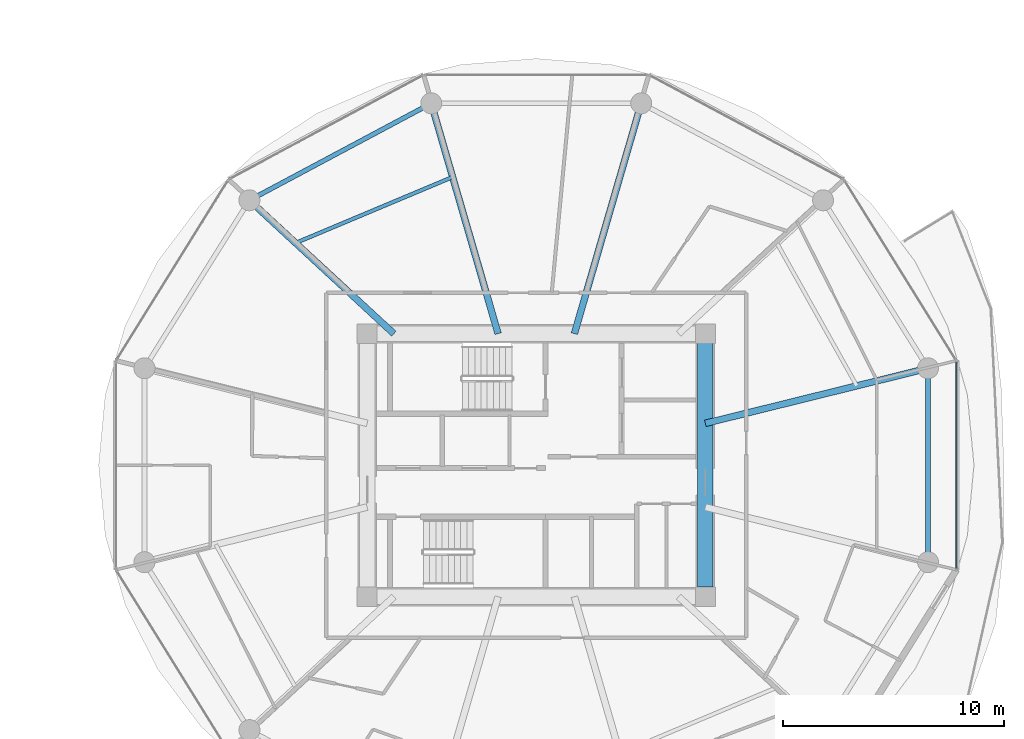
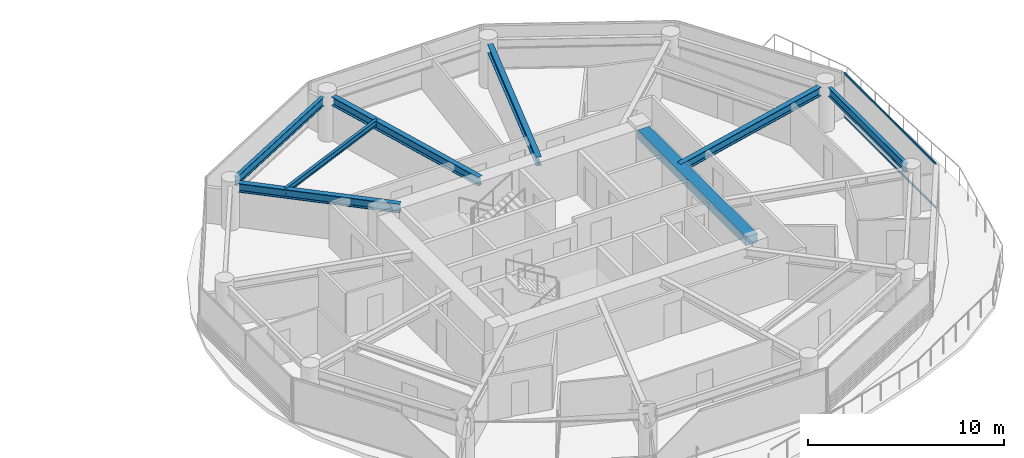
# One storey, part 12 of 27: 8 beams, 2 members, 1 element without a shape of its own.
"""IFC4 building model written with IfcOpenShell, lengths in metres."""

from ifc_helpers import new_model, si_unit, direction, frame, origin, origin_2d, place, context, subcontext, project, spatial, rectangle, i_section, extrude, source, transform, mapped, material, layer, layer_set, material_profile, profile_set, type_object, type_shapes, element, aggregate, save


model = new_model("IFC4")

# Units and contexts
model_context = context("Model", 3, precision=1e-05, world=origin(), true_north=direction((0.0, 1.0)))
body_context = subcontext(model_context, "Body", "Model", "MODEL_VIEW")
ifc_project = project(units=[si_unit("LENGTHUNIT", "METRE"), si_unit("AREAUNIT", "SQUARE_METRE"), si_unit("VOLUMEUNIT", "CUBIC_METRE"), si_unit("PLANEANGLEUNIT", "RADIAN"), si_unit("MASSUNIT", "GRAM", prefix="KILO")], contexts=[model_context])

# Site, building, storey
site_placement = place(None, origin())
site = spatial("IfcSite", under=ifc_project, at=site_placement, CompositionType="ELEMENT")
building_placement = place(site_placement, origin())
building = spatial("IfcBuilding", under=site, at=building_placement, Name="Norrkilde Senior Care Towers", CompositionType="ELEMENT")
storey_placement = place(building_placement, frame((0.0, 0.0, 33.800048828125)))
storey = spatial("IfcBuildingStorey", under=building, at=storey_placement, Name="L09", CompositionType="ELEMENT", Elevation=33.800048828125)

# Beams
ifc_material_1 = material(Name="Concrete C60/75", Category="concrete")
ifc_material_profile_1 = material_profile(ifc_material_1, rectangle(XDim=0.699951171875, YDim=0.550048828125, at=origin_2d()), Name="RC BM 700x550")
ifc_profile_set_1 = profile_set([ifc_material_profile_1], Name="Concrete C60/75")
beam_type_1 = type_object("IfcBeamType", Name="Core Portal Coupling Beam 700x550", PredefinedType="USERDEFINED", material=ifc_profile_set_1)
shared_shape_1 = source(origin(), body_context, "Body", "SweptSolid", [
    extrude(rectangle(XDim=0.699951171875, YDim=0.550048828125, at=origin_2d()), origin(), (0.0, 0.0, 1.0), 11.0400390625),
])
type_shapes(beam_type_1, [shared_shape_1])
beam_1_placement = place(storey_placement, frame((35.64990234375, -5.52001953125, 2.514892578125), z_axis=(0.0, 1.0, 0.0), x_axis=(-1.0, 0.0, 0.0)))
element("IfcBeam", 1, at=beam_1_placement, inside=storey, type_object=beam_type_1, Name="L09 Core E E Coupling Girder", ObjectType="GIRDER", PredefinedType="USERDEFINED", context=body_context, shape_type="MappedRepresentation", body=[
    mapped(shared_shape_1, transform((0.0, 0.0, 0.0), x_axis=(1.0, 0.0, 0.0), y_axis=(0.0, 1.0, 0.0), z_axis=(0.0, 0.0, 1.0), scale=1.0)),
])
ifc_material_2 = material(Name="Steel S355", Category="steel")
ifc_material_profile_2 = material_profile(ifc_material_2, i_section(OverallWidth=0.300048828125, OverallDepth=0.550048828125, WebThickness=0.014892578125, FlangeThickness=0.029052734375, FilletRadius=0.027099609375, at=origin_2d()), Name="HEB 550")
ifc_profile_set_2 = profile_set([ifc_material_profile_2], Name="Steel S355")
beam_type_2 = type_object("IfcBeamType", Name="Radial Floor Beam Z1 HEB550", PredefinedType="BEAM", material=ifc_profile_set_2)
shared_shape_2 = source(origin(), body_context, "Body", "SweptSolid", [
    extrude(i_section(OverallWidth=0.300048828125, OverallDepth=0.550048828125, WebThickness=0.014892578125, FlangeThickness=0.029052734375, FilletRadius=0.027099609375, at=origin_2d()), origin(), (0.0, 0.0, 1.0), 9.94384765625),
])
beam_2_placement = place(storey_placement, frame((35.64990234375, 1.893310546875, 2.514892578125), z_axis=(0.970707425182, 0.240264634718, 0.0), x_axis=(-0.240264634718, 0.970707425182, 0.0)))
element("IfcBeam", 2, at=beam_2_placement, inside=storey, type_object=beam_type_2, Name="L09 Drum E Radial Floor Beam 01", PredefinedType="BEAM", context=body_context, shape_type="MappedRepresentation", body=[
    mapped(shared_shape_2, transform((0.0, 0.0, 0.0), x_axis=(1.0, 0.0, 0.0), y_axis=(0.0, 1.0, 0.0), z_axis=(0.0, 0.0, 1.0), scale=1.0)),
])
ifc_material_profile_3 = material_profile(ifc_material_2, i_section(OverallWidth=0.2099609375, OverallDepth=0.550048828125, WebThickness=0.010986328125, FlangeThickness=0.01708984375, FilletRadius=0.02392578125, at=origin_2d()), Name="IPE 550")
ifc_profile_set_3 = profile_set([ifc_material_profile_3], Name="Steel S355")
beam_type_3 = type_object("IfcBeamType", Name="Perimeter Ring Spandrel Z1 IPE550", PredefinedType="SPANDREL", material=ifc_profile_set_3)
shared_shape_3 = source(origin(), body_context, "Body", "SweptSolid", [
    extrude(i_section(OverallWidth=0.2099609375, OverallDepth=0.550048828125, WebThickness=0.010986328125, FlangeThickness=0.01708984375, FilletRadius=0.02392578125, at=origin_2d()), origin(), (0.0, 0.0, 1.0), 8.452880859375),
])
beam_3_placement = place(storey_placement, frame((22.866943359375, 16.167724609375, 2.514892578125), z_axis=(-0.882368931134, -0.470558252898, 0.0), x_axis=(0.470558252898, -0.882368931134, 0.0)))
element("IfcBeam", 3, at=beam_3_placement, inside=storey, type_object=beam_type_3, Name="L09 Drum E Perimeter Spandrel 04", PredefinedType="SPANDREL", context=body_context, shape_type="MappedRepresentation", body=[
    mapped(shared_shape_3, transform((0.0, 0.0, 0.0), x_axis=(1.0, 0.0, 0.0), y_axis=(0.0, 1.0, 0.0), z_axis=(0.0, 0.0, 1.0), scale=1.0)),
])
shared_shape_4 = source(origin(), body_context, "Body", "SweptSolid", [
    extrude(i_section(OverallWidth=0.300048828125, OverallDepth=0.550048828125, WebThickness=0.014892578125, FlangeThickness=0.029052734375, FilletRadius=0.027099609375, at=origin_2d()), origin(), (0.0, 0.0, 1.0), 8.459716796875),
])
beam_4_placement = place(storey_placement, frame((21.55859375, 5.949951171875, 2.514892578125), z_axis=(-0.734573269108, 0.678529374686, 0.0), x_axis=(-0.678529374686, -0.734573269108, 0.0)))
element("IfcBeam", 4, at=beam_4_placement, inside=storey, type_object=beam_type_2, Name="L09 Drum E Radial Floor Beam 05", PredefinedType="BEAM", context=body_context, shape_type="MappedRepresentation", body=[
    mapped(shared_shape_4, transform((0.0, 0.0, 0.0), x_axis=(1.0, 0.0, 0.0), y_axis=(0.0, 1.0, 0.0), z_axis=(0.0, 0.0, 1.0), scale=1.0)),
])
shared_shape_5 = source(origin(), body_context, "Body", "SweptSolid", [
    extrude(i_section(OverallWidth=0.300048828125, OverallDepth=0.550048828125, WebThickness=0.014892578125, FlangeThickness=0.029052734375, FilletRadius=0.027099609375, at=origin_2d()), origin(), (0.0, 0.0, 1.0), 10.4169921875),
])
type_shapes(beam_type_2, [shared_shape_2, shared_shape_4, shared_shape_5])
for number, where, z_axis, x_axis, name in (
    (5, (29.72607421875, 5.949951171875, 2.514892578125), (0.278591250785, 0.960409764104, 0.0), (-0.960409764104, 0.278591250785, 0.0), "L09 Drum E Radial Floor Beam 03"),
    (6, (26.27392578125, 5.949951171875, 2.514892578125), (-0.278591250785, 0.960409764104, 0.0), (-0.960409764104, -0.278591250785, 0.0), "L09 Drum E Radial Floor Beam 04"),
):
    element("IfcBeam", number, at=place(storey_placement, frame(where, z_axis=z_axis, x_axis=x_axis)), inside=storey, type_object=beam_type_2, Name=name, PredefinedType="BEAM", context=body_context, shape_type="MappedRepresentation", body=[
        mapped(shared_shape_5, transform((0.0, 0.0, 0.0), x_axis=(1.0, 0.0, 0.0), y_axis=(0.0, 1.0, 0.0), z_axis=(0.0, 0.0, 1.0), scale=1.0)),
    ])
shared_shape_6 = source(origin(), body_context, "Body", "SweptSolid", [
    extrude(i_section(OverallWidth=0.2099609375, OverallDepth=0.550048828125, WebThickness=0.010986328125, FlangeThickness=0.01708984375, FilletRadius=0.02392578125, at=origin_2d()), origin(), (0.0, 0.0, 1.0), 7.90380859375),
])
type_shapes(beam_type_3, [shared_shape_3, shared_shape_6])
beam_5_placement = place(storey_placement, frame((45.724853515625, -3.951904296875, 2.514892578125), z_axis=(0.0, 1.0, 0.0), x_axis=(-1.0, 0.0, 0.0)))
element("IfcBeam", 7, at=beam_5_placement, inside=storey, type_object=beam_type_3, Name="L09 Drum E Perimeter Spandrel 12", PredefinedType="SPANDREL", context=body_context, shape_type="MappedRepresentation", body=[
    mapped(shared_shape_6, transform((0.0, 0.0, 0.0), x_axis=(1.0, 0.0, 0.0), y_axis=(0.0, 1.0, 0.0), z_axis=(0.0, 0.0, 1.0), scale=1.0)),
])
ifc_material_profile_4 = material_profile(ifc_material_2, i_section(OverallWidth=0.169921875, OverallDepth=0.360107421875, WebThickness=0.008056640625, FlangeThickness=0.0126953125, FilletRadius=0.01806640625, at=origin_2d()), Name="IPE 360")
ifc_profile_set_4 = profile_set([ifc_material_profile_4], Name="Steel S355")
beam_type_4 = type_object("IfcBeamType", Name="Secondary Floor Joist IPE360", PredefinedType="JOIST", material=ifc_profile_set_4)
shared_shape_7 = source(origin(), body_context, "Body", "SweptSolid", [
    extrude(i_section(OverallWidth=0.169921875, OverallDepth=0.360107421875, WebThickness=0.008056640625, FlangeThickness=0.0126953125, FilletRadius=0.01806640625, at=origin_2d()), origin(), (0.0, 0.0, 1.0), 7.703857421875),
])
type_shapes(beam_type_4, [shared_shape_7])
beam_6_placement = place(storey_placement, frame((24.21826171875, 13.037353515625, 2.60986328125), z_axis=(-0.921982784465, -0.387230868023, 0.0), x_axis=(0.387230868023, -0.921982784465, 0.0)))
element("IfcBeam", 8, at=beam_6_placement, inside=storey, type_object=beam_type_4, Name="L09 Drum E Secondary Floor Joist 2", PredefinedType="JOIST", context=body_context, shape_type="MappedRepresentation", body=[
    mapped(shared_shape_7, transform((0.0, 0.0, 0.0), x_axis=(1.0, 0.0, 0.0), y_axis=(0.0, 1.0, 0.0), z_axis=(0.0, 0.0, 1.0), scale=1.0)),
])

# Curtain wall, members
ifc_material_3 = material(Name="Triple Low-E Insulated Glazing", Category="glass")
ifc_layer = layer(ifc_material_3, 0.199951171875)
ifc_layer_set = layer_set([ifc_layer], Name="Triple Low-E Insulated Glazing")
curtain_wall_type = type_object("IfcCurtainWallType", Name="CW2 Zone 1 Memory Care Curtain Wall", PredefinedType="NOTDEFINED", material=ifc_layer_set)
curtain_wall_placement = place(storey_placement, origin())
curtain_wall = element("IfcCurtainWall", 9, at=curtain_wall_placement, inside=storey, type_object=curtain_wall_type, Name="L09 Drum E Curtain Wall 11", PredefinedType="NOTDEFINED")
ifc_material_4 = material(Name="Anodised Aluminium", Category="aluminium")
ifc_material_profile_5 = material_profile(ifc_material_4, rectangle(XDim=0.06005859375, YDim=0.1201171875, at=origin_2d()), Name="ALU TRAN 60x120")
ifc_profile_set_5 = profile_set([ifc_material_profile_5], Name="Anodised Aluminium")
member_type = type_object("IfcMemberType", Name="Curtain Wall Transom Typical 60x120", PredefinedType="USERDEFINED", material=ifc_profile_set_5)
shared_shape_8 = source(origin(), body_context, "Body", "SweptSolid", [
    extrude(rectangle(XDim=0.06005859375, YDim=0.1201171875, at=origin_2d()), origin(), (0.0, 0.0, 1.0), 9.33251953125),
])
type_shapes(member_type, [shared_shape_8])
member_1_placement = place(storey_placement, frame((47.009521484375, 4.666259765625, 0.030029296875), z_axis=(0.0, -1.0, 0.0), x_axis=(1.0, 0.0, 0.0)))
member_1 = element("IfcMember", 10, at=member_1_placement, type_object=member_type, Name="CW-2 transom 1.1", ObjectType="TRANSOM", PredefinedType="USERDEFINED", context=body_context, shape_type="MappedRepresentation", body=[
    mapped(shared_shape_8, transform((0.0, 0.0, 0.0), x_axis=(1.0, 0.0, 0.0), y_axis=(0.0, 1.0, 0.0), z_axis=(0.0, 0.0, 1.0), scale=1.0)),
])
member_2_placement = place(storey_placement, frame((47.009521484375, 4.666259765625, 2.760009765625), z_axis=(0.0, -1.0, 0.0), x_axis=(1.0, 0.0, 0.0)))
member_2 = element("IfcMember", 11, at=member_2_placement, type_object=member_type, Name="CW-2 transom 1.2", ObjectType="TRANSOM", PredefinedType="USERDEFINED", context=body_context, shape_type="MappedRepresentation", body=[
    mapped(shared_shape_8, transform((0.0, 0.0, 0.0), x_axis=(1.0, 0.0, 0.0), y_axis=(0.0, 1.0, 0.0), z_axis=(0.0, 0.0, 1.0), scale=1.0)),
])
aggregate(curtain_wall, [member_1, member_2])

save(model, "model.ifc")
